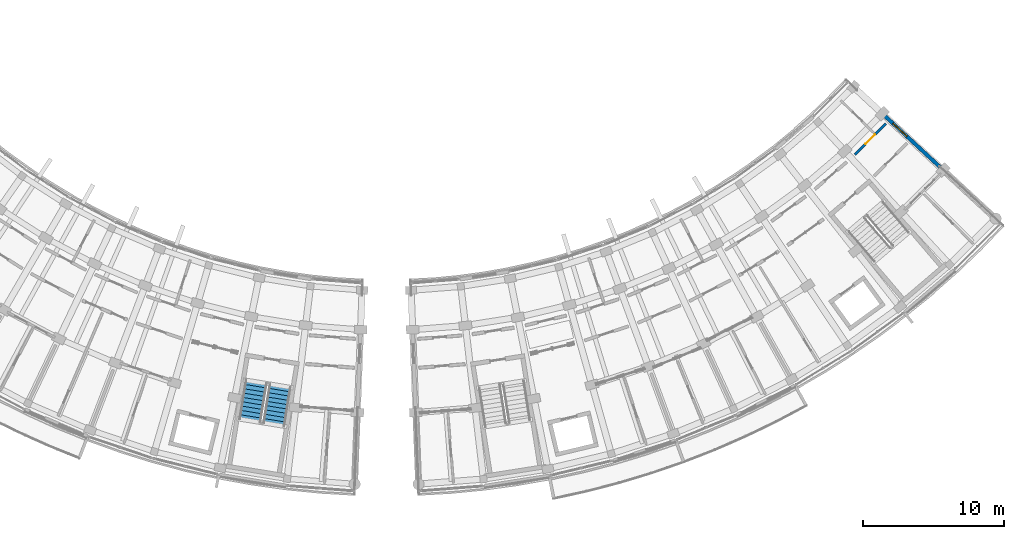
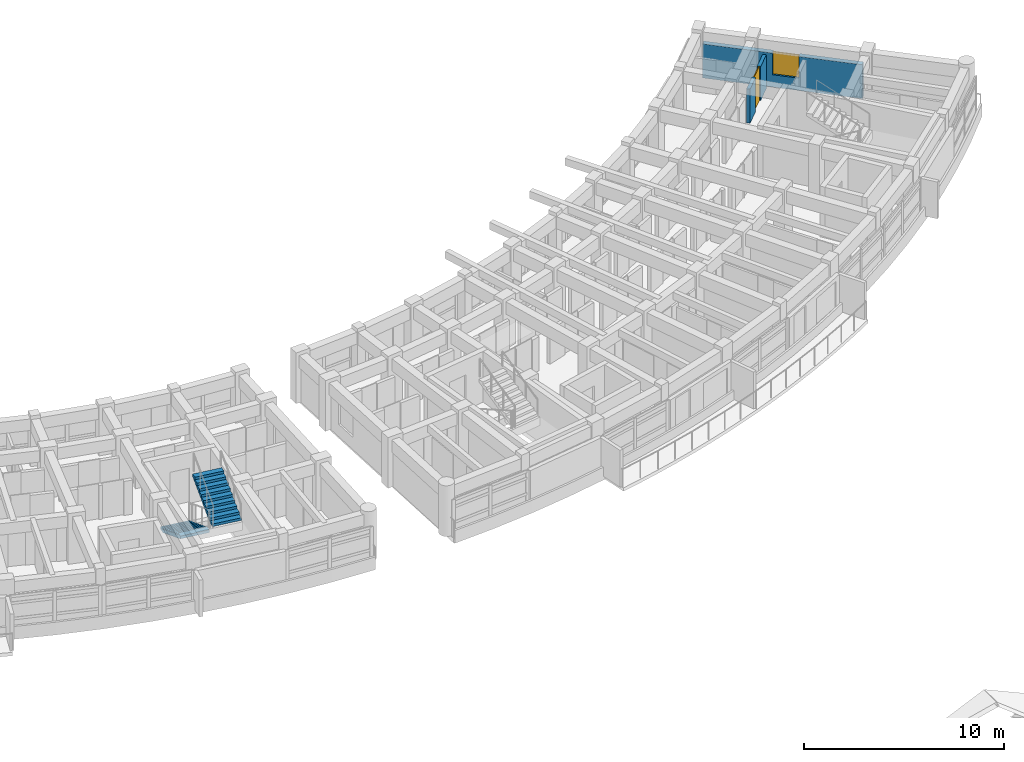
# One storey, part 55 of 70: 2 stair flights, 2 walls, 1 door, 1 window, 2 openings, 1 element without a shape of its own.
"""IFC4 building model written with IfcOpenShell, lengths in metres."""

import ifcopenshell
import ifcopenshell.guid

model = None  # the IFC model being written
_history = None  # IfcOwnerHistory: only IFC2X3 demands one
_inside = {}  # id of a spatial element -> (the spatial element, [elements in it])
_under = {}  # id of a project, library or spatial element -> (it, [spatial elements below it])
_declared = {}  # id of a project -> (the project, [libraries it declares])
_typed = {}  # id of a type object -> (the type object, [elements of that type])
_made_of = {}  # id of a material, layer set ... -> (it, [elements and type objects made of it])


def new_model(schema):
    """Start an empty IFC model of exactly this schema.

    Asked for "IFC4X3", IfcOpenShell would pick the latest addendum, in which some entities
    have other attributes; the version numbers below select the first issue.
    IFC2X3 requires an IfcOwnerHistory on every rooted entity: one is made here for all.
    """
    global model, _history
    if schema == "IFC4X3":
        model = ifcopenshell.file(schema_version=(4, 3, 0, 0))
    else:
        model = ifcopenshell.file(schema=schema)
    _inside.clear()
    _under.clear()
    _declared.clear()
    _typed.clear()
    _made_of.clear()
    _history = None
    if model.schema == "IFC2X3":
        org = make("IfcOrganization", Name="unknown")
        user = make(
            "IfcPersonAndOrganization",
            ThePerson=make("IfcPerson", FamilyName="unknown"),
            TheOrganization=org,
        )
        app = make(
            "IfcApplication",
            ApplicationDeveloper=org,
            Version="unknown",
            ApplicationFullName="unknown",
            ApplicationIdentifier="unknown",
        )
        _history = make(
            "IfcOwnerHistory",
            OwningUser=user,
            OwningApplication=app,
            ChangeAction="ADDED",
            CreationDate=0,
        )
    return model


def make(cls, **values):
    """One entity of the class cls with the attributes given. An attribute that is None is left unset."""
    return model.create_entity(
        cls, **{name: value for name, value in values.items() if value is not None}
    )


def rooted(cls, **values):
    """An entity with a GlobalId (a new one), such as an element, a storey or a relation."""
    return make(cls, GlobalId=ifcopenshell.guid.new(), OwnerHistory=_history, **values)


def si_unit(unit_type, name, prefix=None):
    """IfcSIUnit, for example si_unit("LENGTHUNIT", "METRE", prefix="MILLI")."""
    return make("IfcSIUnit", UnitType=unit_type, Prefix=prefix, Name=name)


def assignment(units):
    """IfcUnitAssignment: the units of a project."""
    return None if units is None else make("IfcUnitAssignment", Units=units)


def point(xyz):
    """IfcCartesianPoint."""
    return None if xyz is None else make("IfcCartesianPoint", Coordinates=xyz)


def direction(xyz):
    """IfcDirection."""
    return None if xyz is None else make("IfcDirection", DirectionRatios=xyz)


def frame(location, z_axis=None, x_axis=None):
    """IfcAxis2Placement3D, a coordinate frame: its origin and axes. An axis left out is left unset."""
    return make(
        "IfcAxis2Placement3D",
        Location=point(location),
        Axis=direction(z_axis),
        RefDirection=direction(x_axis),
    )


def frame_2d(location, x_axis=None):
    """IfcAxis2Placement2D, a coordinate frame in the plane: its origin and x axis."""
    return make(
        "IfcAxis2Placement2D", Location=point(location), RefDirection=direction(x_axis)
    )


def origin():
    """The frame at (0, 0, 0) with its axes left unset."""
    return frame((0.0, 0.0, 0.0))


def place(relative_to, where):
    """IfcLocalPlacement: puts the frame where relative to a parent placement (None: the world)."""
    return make(
        "IfcLocalPlacement", PlacementRelTo=relative_to, RelativePlacement=where
    )


def context(
    kind, dimensions, precision=None, world=None, true_north=None, identifier=None
):
    """IfcGeometricRepresentationContext, for example the 3D "Model" context."""
    return make(
        "IfcGeometricRepresentationContext",
        ContextIdentifier=identifier,
        ContextType=kind,
        CoordinateSpaceDimension=dimensions,
        Precision=precision,
        WorldCoordinateSystem=world,
        TrueNorth=true_north,
    )


def subcontext(parent, identifier, kind, view, scale=None):
    """IfcGeometricRepresentationSubContext, for example "Body" below "Model"."""
    return make(
        "IfcGeometricRepresentationSubContext",
        ContextIdentifier=identifier,
        ContextType=kind,
        ParentContext=parent,
        TargetScale=scale,
        TargetView=view,
    )


def project(units=None, contexts=None):
    """IfcProject with its units and contexts."""
    return rooted(
        "IfcProject",
        Name="project",
        RepresentationContexts=contexts,
        UnitsInContext=assignment(units),
    )


def spatial(cls, under=None, at=None, **own):
    """A site, building, storey or space (cls), placed at a placement, below another one or the project."""
    s = rooted(cls, ObjectPlacement=at, **own)
    if under is not None:
        _under.setdefault(under.id(), (under, []))[1].append(s)
    return s


def polyline(points):
    """IfcPolyline through the points."""
    return make("IfcPolyline", Points=[point(p) for p in points])


def profile(cls, at=None, kind="AREA", **sizes):
    """A parametric profile (cls). Its sizes go by their IFC names, for example OverallWidth=200.0."""
    return make(cls, ProfileType=kind, Position=at, **sizes)


def rectangle(**sizes):
    """IfcRectangleProfileDef."""
    return profile("IfcRectangleProfileDef", **sizes)


def outline(outer, holes=None, kind="AREA"):
    """IfcArbitraryClosedProfileDef: a profile drawn as a closed curve; with holes, ...WithVoids."""
    if holes is None:
        return make("IfcArbitraryClosedProfileDef", ProfileType=kind, OuterCurve=outer)
    return make(
        "IfcArbitraryProfileDefWithVoids",
        ProfileType=kind,
        OuterCurve=outer,
        InnerCurves=holes,
    )


def extrude(swept, where, along, depth):
    """IfcExtrudedAreaSolid: the profile swept, set in the frame where, extruded along a direction by depth."""
    return make(
        "IfcExtrudedAreaSolid",
        SweptArea=swept,
        Position=where,
        ExtrudedDirection=direction(along),
        Depth=depth,
    )


def shape(context_of_items, identifier, shape_type, items):
    """IfcShapeRepresentation: the items that make up one representation, for example the "Body"."""
    return make(
        "IfcShapeRepresentation",
        ContextOfItems=context_of_items,
        RepresentationIdentifier=identifier,
        RepresentationType=shape_type,
        Items=items,
    )


def material(Name=None, Category=None):
    """IfcMaterial."""
    return make("IfcMaterial", Name=Name, Category=Category)


def layer(
    of_material, thickness, ventilated=None, Name=None, Category=None, Priority=None
):
    """IfcMaterialLayer: one layer of a wall or slab, of a material (None: an air gap)."""
    return make(
        "IfcMaterialLayer",
        Material=of_material,
        LayerThickness=thickness,
        IsVentilated=ventilated,
        Name=Name,
        Category=Category,
        Priority=Priority,
    )


def layer_set(layers, Name=None):
    """IfcMaterialLayerSet."""
    return make("IfcMaterialLayerSet", MaterialLayers=layers, LayerSetName=Name)


def made_of(thing, what):
    """Note that an element or type object is made of a material, layer set ...; save() writes the relation."""
    if what is not None:
        _made_of.setdefault(what.id(), (what, []))[1].append(thing)
    return thing


def type_object(cls, material=None, **own):
    """A type object (cls), such as IfcWallType, which elements share."""
    return made_of(rooted(cls, **own), material)


def element(
    cls,
    number,
    at=None,
    inside=None,
    cuts=None,
    type_object=None,
    material=None,
    context=None,
    identifier="Body",
    shape_type=None,
    held_by="IfcProductDefinitionShape",
    body=None,
    shapes=None,
    **own,
):
    """One element of the class cls, such as IfcWall. Its Tag is "e" and its number.

    at: its placement. inside: the storey or other place that contains it. cuts: it is an
    opening in that element (IfcRelVoidsElement). A single representation is given by context,
    identifier, shape_type and body (its items); several are given by shapes. held_by: the class
    of the entity that holds the representations. save() writes the other relations.
    """
    e = rooted(cls, Tag="e%d" % number, ObjectPlacement=at, **own)
    if body is not None:
        shapes = [shape(context, identifier, shape_type, body)]
    if shapes is not None:
        e.Representation = make(held_by, Representations=shapes)
    if inside is not None:
        _inside.setdefault(inside.id(), (inside, []))[1].append(e)
    if cuts is not None:
        rooted(
            "IfcRelVoidsElement", RelatingBuildingElement=cuts, RelatedOpeningElement=e
        )
    if type_object is not None:
        _typed.setdefault(type_object.id(), (type_object, []))[1].append(e)
    return made_of(e, material)


def fill(opening, filler):
    """IfcRelFillsElement: the door or window that sits in an opening."""
    return rooted(
        "IfcRelFillsElement",
        RelatingOpeningElement=opening,
        RelatedBuildingElement=filler,
    )


def aggregate(whole, parts):
    """IfcRelAggregates: a whole, such as a stair, and the parts it consists of."""
    return rooted("IfcRelAggregates", RelatingObject=whole, RelatedObjects=parts)


def save(model, path):
    """Write the relations noted so far, then the file.

    IfcRelAggregates (storeys below a building ...), IfcRelContainedInSpatialStructure (elements
    in a storey), IfcRelDefinesByType, IfcRelAssociatesMaterial and IfcRelDeclares: one each for
    every whole, place, type object, material and project.
    """
    for whole, parts in _under.values():
        aggregate(whole, parts)
    for where, things in _inside.values():
        rooted(
            "IfcRelContainedInSpatialStructure",
            RelatedElements=things,
            RelatingStructure=where,
        )
    for kind, things in _typed.values():
        rooted("IfcRelDefinesByType", RelatedObjects=things, RelatingType=kind)
    for what, things in _made_of.values():
        rooted("IfcRelAssociatesMaterial", RelatedObjects=things, RelatingMaterial=what)
    for by, libraries in _declared.values():
        rooted("IfcRelDeclares", RelatingContext=by, RelatedDefinitions=libraries)
    model.write(path)


model = new_model("IFC4")

# Units and contexts
model_context = context("Model", 3, precision=1e-05, world=origin(), true_north=direction((0.0, 1.0)))
body_context = subcontext(model_context, "Body", "Model", "MODEL_VIEW")
ifc_project = project(units=[si_unit("LENGTHUNIT", "METRE"), si_unit("AREAUNIT", "SQUARE_METRE"), si_unit("VOLUMEUNIT", "CUBIC_METRE"), si_unit("PLANEANGLEUNIT", "RADIAN"), si_unit("MASSUNIT", "GRAM", prefix="KILO")], contexts=[model_context])

# Site, building, storey
site_placement = place(None, origin())
site = spatial("IfcSite", under=ifc_project, at=site_placement, CompositionType="ELEMENT")
building_placement = place(site_placement, origin())
building = spatial("IfcBuilding", under=site, at=building_placement, Name="Zimvara Arc Housing Community", CompositionType="ELEMENT")
storey_placement = place(building_placement, frame((0.0, 0.0, 8.10009765625)))
storey = spatial("IfcBuildingStorey", under=building, at=storey_placement, Name="L02", CompositionType="ELEMENT", Elevation=8.10009765625)

# Wall, opening, window
ifc_material_1 = material(Name="Board-Marked Fair-Faced Concrete C35/45", Category="concrete")
ifc_layer_1 = layer(ifc_material_1, 0.264892578125)
ifc_layer_set_1 = layer_set([ifc_layer_1], Name="Board-Marked Fair-Faced Concrete C35/45")
wall_type_1 = type_object("IfcWallType", Name="EWL-CONC-265", PredefinedType="SOLIDWALL", material=ifc_layer_set_1)
wall_1_placement = place(storey_placement, frame((159.261962890625, 79.04052734375, 0.0), z_axis=(0.0, 0.0, 1.0), x_axis=(0.733738684326, -0.679431779595, 0.0)))
wall_1 = element("IfcWall", 1, at=wall_1_placement, inside=storey, type_object=wall_type_1, Name="ewall:blkD:L02:gN", PredefinedType="SOLIDWALL", context=body_context, shape_type="SweptSolid", body=[
    extrude(rectangle(XDim=8.199951171875, YDim=0.264892578125, at=frame_2d((4.10009765625, 0.0))), origin(), (0.0, 0.0, 1.0), 2.079833984375),
])
opening_1_placement = place(wall_1_placement, frame((3.590087890625, 0.0, 0.75)))
opening_1 = element("IfcOpeningElement", 2, at=opening_1_placement, cuts=wall_1, Name="Opening W12", PredefinedType="OPENING", context=body_context, shape_type="SweptSolid", body=[
    extrude(rectangle(XDim=1.35009765625, YDim=1.35009765625, at=frame_2d((0.675048828125, 0.675048828125))), frame((0.0, 0.142333984375, 0.0), z_axis=(0.0, -1.0, 0.0), x_axis=(1.0, 0.0, 0.0)), (0.0, 0.0, 1.0), 0.284912109375),
])
ifc_material_2 = material(Name="Solar Control Low-E Double Glazing", Category="glass")
window_type = type_object("IfcWindowType", Name="WIN-RES-1350x1350", PartitioningType="DOUBLE_PANEL_VERTICAL", PredefinedType="WINDOW", material=ifc_material_2)
window_placement = place(opening_1_placement, origin())
window = element("IfcWindow", 3, at=window_placement, inside=storey, type_object=window_type, Name="win:blkD:L02:gN:w", OverallHeight=1.35009765625, OverallWidth=1.35009765625, PartitioningType="DOUBLE_PANEL_VERTICAL", PredefinedType="WINDOW", context=body_context, shape_type="SweptSolid", body=[
    extrude(rectangle(XDim=1.35009765625, YDim=1.35009765625, at=frame_2d((0.675048828125, 0.675048828125))), frame((0.0, 0.030029296875, 0.0), z_axis=(0.0, -1.0, 0.0), x_axis=(1.0, 0.0, 0.0)), (0.0, 0.0, 1.0), 0.06005859375),
])
fill(opening_1, window)

# Wall, opening, door
ifc_material_3 = material(Name="Concrete C35/45", Category="concrete")
ifc_layer_2 = layer(ifc_material_3, 0.18994140625)
ifc_layer_set_2 = layer_set([ifc_layer_2], Name="Concrete C35/45")
wall_type_2 = type_object("IfcWallType", Name="IWL-CORR-190", PredefinedType="SOLIDWALL", material=ifc_layer_set_2)
wall_2_placement = place(storey_placement, frame((159.186279296875, 74.390380859375, 0.0), z_axis=(0.0, 0.0, 1.0), x_axis=(0.70773330139, 0.706479705373, 0.0)))
wall_2 = element("IfcWall", 4, at=wall_2_placement, inside=storey, type_object=wall_type_2, Name="iwall:blkD:L02:corr_in:b9", PredefinedType="SOLIDWALL", context=body_context, shape_type="SweptSolid", body=[
    extrude(rectangle(XDim=3.115966796875, YDim=0.18994140625, at=frame_2d((1.55810546875, 0.0))), origin(), (0.0, 0.0, 1.0), 2.079833984375),
])
opening_2_placement = place(wall_2_placement, frame((1.077880859375, 0.0, 0.0)))
opening_2 = element("IfcOpeningElement", 5, at=opening_2_placement, cuts=wall_2, Name="Opening D04", PredefinedType="OPENING", context=body_context, shape_type="SweptSolid", body=[
    extrude(rectangle(XDim=0.9599609375, YDim=2.10009765625, at=frame_2d((0.47998046875, 1.050048828125))), frame((0.0, 0.10498046875, 0.0), z_axis=(0.0, -1.0, 0.0), x_axis=(1.0, 0.0, 0.0)), (0.0, 0.0, 1.0), 0.2099609375),
])
ifc_material_4 = material(Name="Mozambican Hardwood", Category="wood")
door_type = type_object("IfcDoorType", Name="IDR-RM-0960x2100", OperationType="NOTDEFINED", PredefinedType="DOOR", material=ifc_material_4)
door_placement = place(opening_2_placement, origin())
door = element("IfcDoor", 6, at=door_placement, inside=storey, type_object=door_type, Name="idoor:blkD:L02:in_rm:b9", OperationType="SINGLE_SWING_LEFT", OverallHeight=2.10009765625, OverallWidth=0.9599609375, PredefinedType="DOOR", context=body_context, shape_type="SweptSolid", body=[
    extrude(rectangle(XDim=0.9599609375, YDim=2.10009765625, at=frame_2d((0.47998046875, 1.050048828125))), frame((0.0, 0.02490234375, 0.0), z_axis=(0.0, -1.0, 0.0), x_axis=(1.0, 0.0, 0.0)), (0.0, 0.0, 1.0), 0.050048828125),
])
fill(opening_2, door)

# Stair, stair flights
ifc_material_5 = material(Name="Concrete C35/45", Category="concrete")
stair_type = type_object("IfcStairType", Name="STR-DL-310-310", PredefinedType="HALF_TURN_STAIR", material=ifc_material_5)
stair_placement = place(storey_placement, origin())
stair = element("IfcStair", 7, at=stair_placement, inside=storey, type_object=stair_type, Name="L02 Block C Exit Stair 2", PredefinedType="HALF_TURN_STAIR")
ifc_material_6 = material(Name="Concrete C35/45", Category="concrete")
stair_flight_type = type_object("IfcStairFlightType", Name="STF-DL-310-310", PredefinedType="STRAIGHT", material=ifc_material_6)
stair_flight_1_placement = place(storey_placement, frame((116.7353515625, 58.27490234375, 0.0), z_axis=(0.0, 0.0, 1.0), x_axis=(-0.160225753504, -0.987080395872, 0.0)))
stair_flight_1 = element("IfcStairFlight", 8, at=stair_flight_1_placement, type_object=stair_flight_type, Name="ST-C2 flight 1", NumberOfRisers=10, NumberOfTreads=9, PredefinedType="STRAIGHT", RiserHeight=0.155, TreadLength=0.31, context=body_context, shape_type="SweptSolid", body=[
    extrude(outline(polyline([(0.0, 0.0), (0.0, 0.155029296875), (0.31005859375, 0.155029296875), (0.31005859375, 0.31005859375), (0.6201171875, 0.31005859375), (0.6201171875, 0.465087890625), (0.929931640625, 0.465087890625), (0.929931640625, 0.6201171875), (1.239990234375, 0.6201171875), (1.239990234375, 0.77490234375), (1.550048828125, 0.77490234375), (1.550048828125, 0.929931640625), (1.860107421875, 0.929931640625), (1.860107421875, 1.0849609375), (2.169921875, 1.0849609375), (2.169921875, 1.239990234375), (2.47998046875, 1.239990234375), (2.47998046875, 1.39501953125), (2.7900390625, 1.39501953125), (2.7900390625, 1.550048828125), (2.7900390625, 1.227294921875), (0.335205078125, 0.0), (0.0, 0.0)])), frame((0.0, 0.780029296875, 0.0), z_axis=(0.0, -1.0, 0.0), x_axis=(1.0, 0.0, 0.0)), (0.0, 0.0, 1.0), 1.56005859375),
])
stair_flight_2_placement = place(storey_placement, frame((117.986083984375, 55.2451171875, 1.5498046875), z_axis=(0.0, 0.0, 1.0), x_axis=(0.160225753504, 0.987080395872, 0.0)))
stair_flight_2 = element("IfcStairFlight", 9, at=stair_flight_2_placement, type_object=stair_flight_type, Name="ST-C2 flight 2", NumberOfRisers=10, NumberOfTreads=9, PredefinedType="STRAIGHT", RiserHeight=0.155, TreadLength=0.31, context=body_context, shape_type="SweptSolid", body=[
    extrude(outline(polyline([(0.0, 0.0), (0.0, 0.155029296875), (0.31005859375, 0.155029296875), (0.31005859375, 0.31005859375), (0.6201171875, 0.31005859375), (0.6201171875, 0.465087890625), (0.929931640625, 0.465087890625), (0.929931640625, 0.6201171875), (1.239990234375, 0.6201171875), (1.239990234375, 0.77490234375), (1.550048828125, 0.77490234375), (1.550048828125, 0.929931640625), (1.860107421875, 0.929931640625), (1.860107421875, 1.0849609375), (2.169921875, 1.0849609375), (2.169921875, 1.239990234375), (2.47998046875, 1.239990234375), (2.47998046875, 1.39501953125), (2.7900390625, 1.39501953125), (2.7900390625, 1.550048828125), (2.7900390625, 1.227294921875), (0.335205078125, 0.0), (0.0, 0.0)])), frame((0.0, 0.780029296875, 0.0), z_axis=(0.0, -1.0, 0.0), x_axis=(1.0, 0.0, 0.0)), (0.0, 0.0, 1.0), 1.56005859375),
])
aggregate(stair, [stair_flight_1, stair_flight_2])

save(model, "model.ifc")
